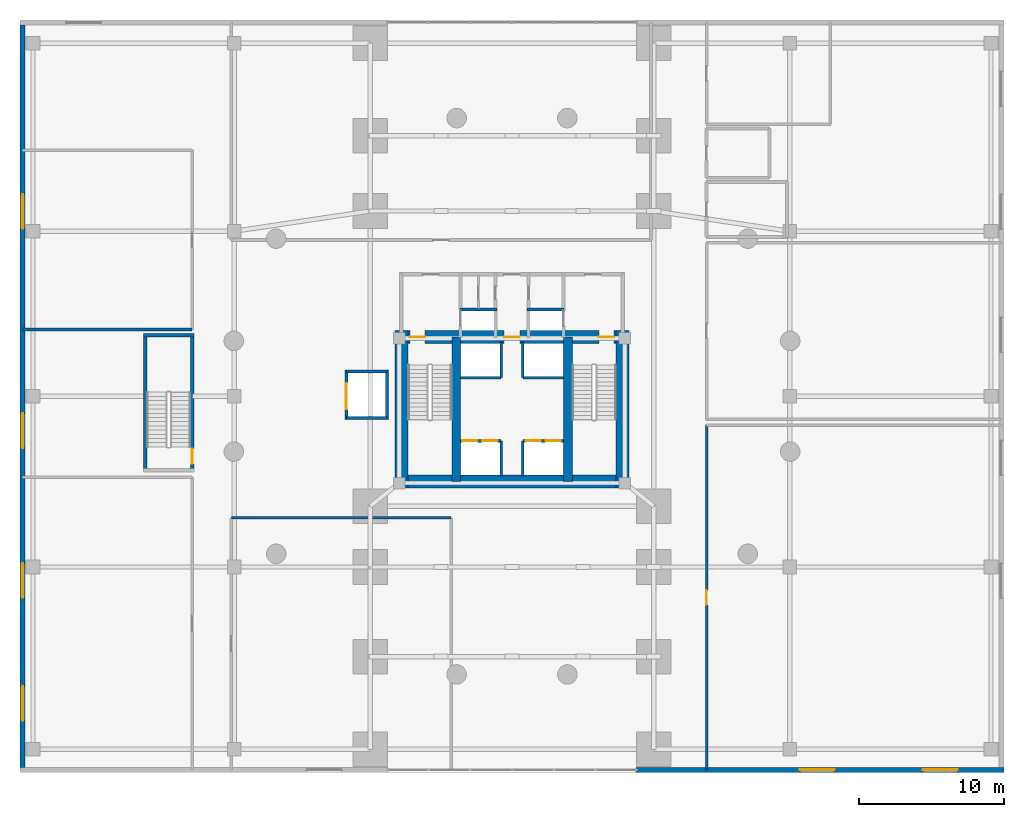
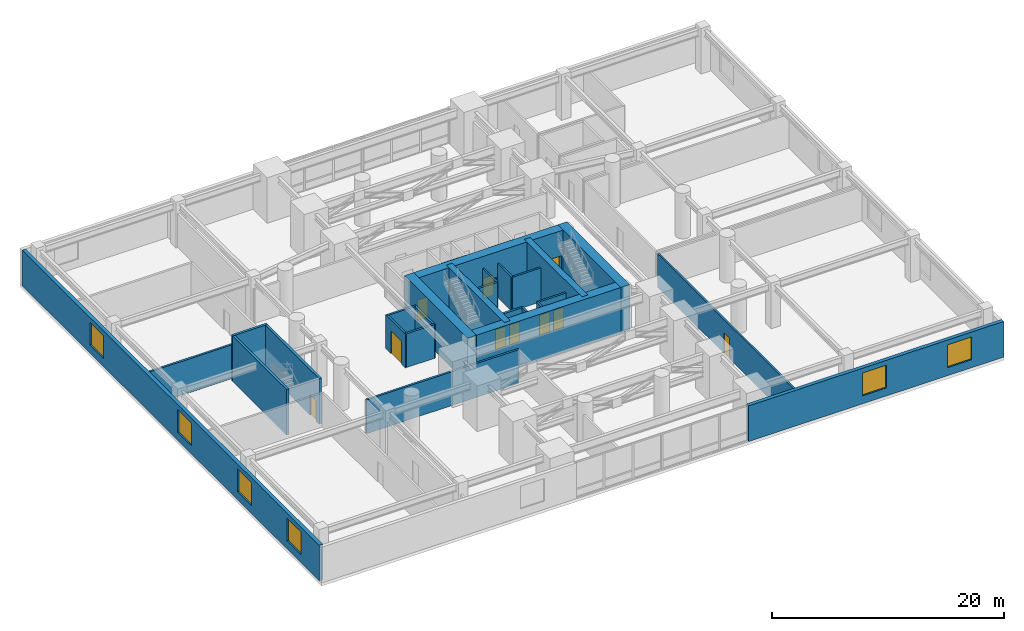
# One storey, part 14 of 17: 28 walls, 10 doors, 6 windows, 16 openings.
"""IFC4 building model written with IfcOpenShell, lengths in metres."""

from ifc_helpers import new_model, si_unit, direction, frame, frame_2d, origin, place, context, subcontext, project, spatial, rectangle, extrude, material, layer, layer_set, type_object, element, fill, save


model = new_model("IFC4")

# Units and contexts
model_context = context("Model", 3, precision=1e-05, world=origin(), true_north=direction((0.0, 1.0)))
body_context = subcontext(model_context, "Body", "Model", "MODEL_VIEW")
ifc_project = project(units=[si_unit("LENGTHUNIT", "METRE"), si_unit("AREAUNIT", "SQUARE_METRE"), si_unit("VOLUMEUNIT", "CUBIC_METRE"), si_unit("PLANEANGLEUNIT", "RADIAN"), si_unit("MASSUNIT", "GRAM", prefix="KILO"), si_unit("THERMODYNAMICTEMPERATUREUNIT", "KELVIN"), si_unit("POWERUNIT", "WATT")], contexts=[model_context])

# Site, building, storey
site_placement = place(None, origin())
site = spatial("IfcSite", under=ifc_project, at=site_placement, CompositionType="ELEMENT")
building_placement = place(site_placement, origin())
building = spatial("IfcBuilding", under=site, at=building_placement, Name="Ocrelia Relay Tower", CompositionType="ELEMENT")
storey_placement = place(building_placement, frame((0.0, 0.0, 20.39990234375)))
storey = spatial("IfcBuildingStorey", under=building, at=storey_placement, Name="L04", CompositionType="ELEMENT", Elevation=20.39990234375)

# Wall
ifc_material_1 = material(Name="Concrete C70/85", Category="concrete")
ifc_layer_1 = layer(ifc_material_1, 0.89990234375, Name="Concrete C70/85")
ifc_layer_set_1 = layer_set([ifc_layer_1], Name="Concrete C70/85")
wall_type_1 = type_object("IfcWallType", Name="CW-CORE-900", PredefinedType="SHEAR", material=ifc_layer_set_1)
wall_1_placement = place(storey_placement, frame((25.922119140625, 20.112060546875, 0.0), z_axis=(0.0, 0.0, 1.0), x_axis=(1.0, 0.0, 0.0)))
element("IfcWall", 1, at=wall_1_placement, inside=storey, type_object=wall_type_1, Name="L04 Core Shear Wall S", PredefinedType="SHEAR", context=body_context, shape_type="SweptSolid", body=[
    extrude(rectangle(XDim=16.165771484375, YDim=0.89990234375, at=frame_2d((8.0830078125, 0.0))), origin(), (0.0, 0.0, 1.0), 4.800048828125),
])

# Wall, openings, doors
wall_2_placement = place(storey_placement, frame((25.922119140625, 30.087890625, 0.0), z_axis=(0.0, 0.0, 1.0), x_axis=(1.0, 0.0, 0.0)))
wall_2 = element("IfcWall", 2, at=wall_2_placement, inside=storey, type_object=wall_type_1, Name="L04 Core Shear Wall N", PredefinedType="SHEAR", context=body_context, shape_type="SweptSolid", body=[
    extrude(rectangle(XDim=16.165771484375, YDim=0.89990234375, at=frame_2d((8.0830078125, 0.0))), origin(), (0.0, 0.0, 1.0), 4.800048828125),
])
opening_1_placement = place(wall_2_placement, frame((1.028076171875, 0.0, 0.0)))
opening_1 = element("IfcOpeningElement", 3, at=opening_1_placement, cuts=wall_2, Name="Opening D-FD90", PredefinedType="OPENING", context=body_context, shape_type="SweptSolid", body=[
    extrude(rectangle(XDim=1.050048828125, YDim=2.14990234375, at=frame_2d((0.52490234375, 1.074951171875))), frame((0.0, 0.4599609375, 0.0), z_axis=(0.0, -1.0, 0.0), x_axis=(1.0, 0.0, 0.0)), (0.0, 0.0, 1.0), 0.919921875),
])
opening_2_placement = place(wall_2_placement, frame((14.077880859375, 0.0, 0.0)))
opening_2 = element("IfcOpeningElement", 4, at=opening_2_placement, cuts=wall_2, Name="Opening D-FD90", PredefinedType="OPENING", context=body_context, shape_type="SweptSolid", body=[
    extrude(rectangle(XDim=1.050048828125, YDim=2.14990234375, at=frame_2d((0.52490234375, 1.074951171875))), frame((0.0, 0.4599609375, 0.0), z_axis=(0.0, -1.0, 0.0), x_axis=(1.0, 0.0, 0.0)), (0.0, 0.0, 1.0), 0.919921875),
])
opening_3_placement = place(wall_2_placement, frame((7.528076171875, 0.0, 0.0)))
opening_3 = element("IfcOpeningElement", 5, at=opening_3_placement, cuts=wall_2, Name="Opening D-FD60", PredefinedType="OPENING", context=body_context, shape_type="SweptSolid", body=[
    extrude(rectangle(XDim=1.10009765625, YDim=2.14990234375, at=frame_2d((0.550048828125, 1.074951171875))), frame((0.0, 0.4599609375, 0.0), z_axis=(0.0, -1.0, 0.0), x_axis=(1.0, 0.0, 0.0)), (0.0, 0.0, 1.0), 0.919921875),
])
ifc_material_2 = material(Name="Timber-core 60-min acoustic fire door", Category="wood")
door_type_1 = type_object("IfcDoorType", Name="DR-LOBBY-FD60-1100", OperationType="NOTDEFINED", PredefinedType="DOOR", material=ifc_material_2)
door_1_placement = place(opening_3_placement, origin())
door_1 = element("IfcDoor", 6, at=door_1_placement, inside=storey, type_object=door_type_1, Name="L04 Core Lift Lobby North Fire Door", OperationType="SINGLE_SWING_RIGHT", OverallHeight=2.14990234375, OverallWidth=1.10009765625, PredefinedType="DOOR", context=body_context, shape_type="SweptSolid", body=[
    extrude(rectangle(XDim=1.10009765625, YDim=2.14990234375, at=frame_2d((0.550048828125, 1.074951171875))), frame((0.0, 0.02490234375, 0.0), z_axis=(0.0, -1.0, 0.0), x_axis=(1.0, 0.0, 0.0)), (0.0, 0.0, 1.0), 0.050048828125),
])
fill(opening_3, door_1)
ifc_material_3 = material(Name="Steel S355 90-min fire door", Category="steel")
door_type_2 = type_object("IfcDoorType", Name="DR-STAIR-FD90-1050", OperationType="NOTDEFINED", PredefinedType="DOOR", material=ifc_material_3)
door_2_placement = place(opening_1_placement, origin())
door_2 = element("IfcDoor", 7, at=door_2_placement, inside=storey, type_object=door_type_2, Name="L04 Stair ST1 Fire Door", OperationType="SINGLE_SWING_RIGHT", OverallHeight=2.14990234375, OverallWidth=1.050048828125, PredefinedType="DOOR", context=body_context, shape_type="SweptSolid", body=[
    extrude(rectangle(XDim=1.050048828125, YDim=2.14990234375, at=frame_2d((0.52490234375, 1.074951171875))), frame((0.0, 0.02490234375, 0.0), z_axis=(0.0, -1.0, 0.0), x_axis=(1.0, 0.0, 0.0)), (0.0, 0.0, 1.0), 0.050048828125),
])
fill(opening_1, door_2)
door_3_placement = place(opening_2_placement, origin())
door_3 = element("IfcDoor", 8, at=door_3_placement, inside=storey, type_object=door_type_2, Name="L04 Stair ST2 Fire Door", OperationType="SINGLE_SWING_LEFT", OverallHeight=2.14990234375, OverallWidth=1.050048828125, PredefinedType="DOOR", context=body_context, shape_type="SweptSolid", body=[
    extrude(rectangle(XDim=1.050048828125, YDim=2.14990234375, at=frame_2d((0.52490234375, 1.074951171875))), frame((0.0, 0.02490234375, 0.0), z_axis=(0.0, -1.0, 0.0), x_axis=(1.0, 0.0, 0.0)), (0.0, 0.0, 1.0), 0.050048828125),
])
fill(opening_2, door_3)

# Walls
for number, where, z_axis, x_axis, name in (
    (9, (26.3720703125, 19.662109375, 0.0), (0.0, 0.0, 1.0), (0.0, 1.0, 0.0), "L04 Core Shear Wall W"),
    (10, (41.637939453125, 19.662109375, 0.0), (0.0, 0.0, 1.0), (0.0, 1.0, 0.0), "L04 Core Shear Wall E"),
):
    element("IfcWall", number, at=place(storey_placement, frame(where, z_axis=z_axis, x_axis=x_axis)), inside=storey, type_object=wall_type_1, Name=name, PredefinedType="SHEAR", context=body_context, shape_type="SweptSolid", body=[
        extrude(rectangle(XDim=10.8759765625, YDim=0.89990234375, at=frame_2d((5.43798828125, 0.0))), origin(), (0.0, 0.0, 1.0), 4.800048828125),
    ])
for number, where, z_axis, x_axis, name in (
    (11, (30.137939453125, 20.112060546875, 0.0), (0.0, 0.0, 1.0), (0.0, 1.0, 0.0), "L04 Core Shear Wall SPW"),
    (12, (37.8720703125, 20.112060546875, 0.0), (0.0, 0.0, 1.0), (0.0, 1.0, 0.0), "L04 Core Shear Wall SPE"),
):
    element("IfcWall", number, at=place(storey_placement, frame(where, z_axis=z_axis, x_axis=x_axis)), inside=storey, type_object=wall_type_1, Name=name, PredefinedType="SHEAR", context=body_context, shape_type="SweptSolid", body=[
        extrude(rectangle(XDim=9.975830078125, YDim=0.60009765625, at=frame_2d((4.98779296875, 0.0))), origin(), (0.0, 0.0, 1.0), 4.800048828125),
    ])
ifc_material_4 = material(Name="Concrete C50/60", Category="concrete")
ifc_layer_2 = layer(ifc_material_4, 0.239990234375, Name="Concrete C50/60")
ifc_layer_set_2 = layer_set([ifc_layer_2], Name="Concrete C50/60")
wall_type_2 = type_object("IfcWallType", Name="CW-STAIR-240", PredefinedType="SHEAR", material=ifc_layer_set_2)
wall_3_placement = place(storey_placement, frame((8.531982421875, 30.2080078125, 0.0), z_axis=(0.0, 0.0, 1.0), x_axis=(1.0, 0.0, 0.0)))
element("IfcWall", 13, at=wall_3_placement, inside=storey, type_object=wall_type_2, Name="L04 Stair ST3 Structural Shaft N Wall", PredefinedType="SHEAR", context=body_context, shape_type="SweptSolid", body=[
    extrude(rectangle(XDim=3.49609375, YDim=0.239990234375, at=frame_2d((1.748046875, 0.0))), origin(), (0.0, 0.0, 1.0), 4.800048828125),
])
wall_4_placement = place(storey_placement, frame((8.652099609375, 20.77197265625, 0.0), z_axis=(0.0, 0.0, 1.0), x_axis=(0.0, 1.0, 0.0)))
element("IfcWall", 14, at=wall_4_placement, inside=storey, type_object=wall_type_2, Name="L04 Stair ST3 Structural Shaft W Wall", PredefinedType="SHEAR", context=body_context, shape_type="SweptSolid", body=[
    extrude(rectangle(XDim=9.555908203125, YDim=0.239990234375, at=frame_2d((4.77783203125, 0.0))), origin(), (0.0, 0.0, 1.0), 4.800048828125),
])

# Wall, opening, door
wall_5_placement = place(storey_placement, frame((11.907958984375, 20.77197265625, 0.0), z_axis=(0.0, 0.0, 1.0), x_axis=(0.0, 1.0, 0.0)))
wall_5 = element("IfcWall", 15, at=wall_5_placement, inside=storey, type_object=wall_type_2, Name="L04 Stair ST3 Structural Shaft E Wall", PredefinedType="SHEAR", context=body_context, shape_type="SweptSolid", body=[
    extrude(rectangle(XDim=9.555908203125, YDim=0.239990234375, at=frame_2d((4.77783203125, 0.0))), origin(), (0.0, 0.0, 1.0), 4.800048828125),
])
opening_4_placement = place(wall_5_placement, frame((0.550048828125, 0.0, 0.0)))
opening_4 = element("IfcOpeningElement", 16, at=opening_4_placement, cuts=wall_5, Name="Opening D-FD90", PredefinedType="OPENING", context=body_context, shape_type="SweptSolid", body=[
    extrude(rectangle(XDim=1.050048828125, YDim=2.14990234375, at=frame_2d((0.52490234375, 1.074951171875))), frame((0.0, 0.1298828125, 0.0), z_axis=(0.0, -1.0, 0.0), x_axis=(1.0, 0.0, 0.0)), (0.0, 0.0, 1.0), 0.260009765625),
])
door_4_placement = place(opening_4_placement, origin())
door_4 = element("IfcDoor", 17, at=door_4_placement, inside=storey, type_object=door_type_2, Name="L04 Stair ST3 Fire Door", OperationType="SINGLE_SWING_LEFT", OverallHeight=2.14990234375, OverallWidth=1.050048828125, PredefinedType="DOOR", context=body_context, shape_type="SweptSolid", body=[
    extrude(rectangle(XDim=1.050048828125, YDim=2.14990234375, at=frame_2d((0.52490234375, 1.074951171875))), frame((0.0, 0.02490234375, 0.0), z_axis=(0.0, -1.0, 0.0), x_axis=(1.0, 0.0, 0.0)), (0.0, 0.0, 1.0), 0.050048828125),
])
fill(opening_4, door_4)

ifc_material_5 = material(Name="Gypsum Fireboard Partition EI60", Category="gypsum")
ifc_layer_3 = layer(ifc_material_5, 0.179931640625, Name="Gypsum Fireboard Partition EI60")
ifc_layer_set_3 = layer_set([ifc_layer_3], Name="Gypsum Fireboard Partition EI60")
wall_type_3 = type_object("IfcWallType", Name="W-CORR-EI60-180", PredefinedType="PARTITIONING", material=ifc_layer_set_3)
wall_6_placement = place(storey_placement, frame((47.449951171875, 24.0, 0.0), z_axis=(0.0, 0.0, 1.0), x_axis=(0.0, -1.0, 0.0)))
wall_6 = element("IfcWall", 18, at=wall_6_placement, inside=storey, type_object=wall_type_3, Name="L04 Optical Peering Exchange Hall W Partition", PredefinedType="PARTITIONING", context=body_context, shape_type="SweptSolid", body=[
    extrude(rectangle(XDim=23.820068359375, YDim=0.179931640625, at=frame_2d((11.91015625, 0.0))), origin(), (0.0, 0.0, 1.0), 3.56005859375),
])
opening_5_placement = place(wall_6_placement, frame((11.409912109375, 0.0, 0.0)))
opening_5 = element("IfcOpeningElement", 19, at=opening_5_placement, cuts=wall_6, Name="Opening D-RM100", PredefinedType="OPENING", context=body_context, shape_type="SweptSolid", body=[
    extrude(rectangle(XDim=1.0, YDim=2.14990234375, at=frame_2d((0.5, 1.074951171875))), frame((0.0, 0.10009765625, 0.0), z_axis=(0.0, -1.0, 0.0), x_axis=(1.0, 0.0, 0.0)), (0.0, 0.0, 1.0), 0.199951171875),
])
ifc_material_6 = material(Name="Acoustic oak veneer fire door", Category="wood")
door_type_3 = type_object("IfcDoorType", Name="DR-ROOM-FD60-1000", OperationType="NOTDEFINED", PredefinedType="DOOR", material=ifc_material_6)
door_5_placement = place(opening_5_placement, origin())
door_5 = element("IfcDoor", 20, at=door_5_placement, inside=storey, type_object=door_type_3, Name="L04 Optical Peering Exchange Hall Door", OperationType="SINGLE_SWING_RIGHT", OverallHeight=2.14990234375, OverallWidth=1.0, PredefinedType="DOOR", context=body_context, shape_type="SweptSolid", body=[
    extrude(rectangle(XDim=1.0, YDim=2.14990234375, at=frame_2d((0.5, 1.074951171875))), frame((0.0, 0.02490234375, 0.0), z_axis=(0.0, -1.0, 0.0), x_axis=(1.0, 0.0, 0.0)), (0.0, 0.0, 1.0), 0.050048828125),
])
fill(opening_5, door_5)

# Wall, openings, windows
ifc_material_7 = material(Name="Precast concrete C40/50 with oxide terracotta", Category="masonry")
ifc_layer_4 = layer(ifc_material_7, 0.35009765625, Name="Precast concrete C40/50 with oxide terracotta")
ifc_layer_set_4 = layer_set([ifc_layer_4], Name="Precast concrete C40/50 with oxide terracotta")
wall_type_4 = type_object("IfcWallType", Name="W-EXT-POD-350", PredefinedType="SOLIDWALL", material=ifc_layer_set_4)
wall_7_placement = place(storey_placement, frame((0.179931640625, 0.360107421875, 0.0), z_axis=(0.0, 0.0, 1.0), x_axis=(0.0, 1.0, 0.0)))
wall_7 = element("IfcWall", 21, at=wall_7_placement, inside=storey, type_object=wall_type_4, Name="L04 Oxide Terracotta Podium Wall WW", PredefinedType="SOLIDWALL", context=body_context, shape_type="SweptSolid", body=[
    extrude(rectangle(XDim=51.27978515625, YDim=0.35009765625, at=frame_2d((25.639892578125, 0.0))), origin(), (0.0, 0.0, 1.0), 3.760009765625),
])
opening_6_placement = place(wall_7_placement, frame((3.199951171875, 0.0, 0.85009765625)))
opening_6 = element("IfcOpeningElement", 22, at=opening_6_placement, cuts=wall_7, Name="Opening W-01", PredefinedType="OPENING", context=body_context, shape_type="SweptSolid", body=[
    extrude(rectangle(XDim=2.39990234375, YDim=2.39990234375, at=frame_2d((1.199951171875, 1.199951171875))), frame((0.0, 0.18505859375, 0.0), z_axis=(0.0, -1.0, 0.0), x_axis=(1.0, 0.0, 0.0)), (0.0, 0.0, 1.0), 0.3701171875),
])
opening_7_placement = place(wall_7_placement, frame((11.699951171875, 0.0, 0.85009765625)))
opening_7 = element("IfcOpeningElement", 23, at=opening_7_placement, cuts=wall_7, Name="Opening W-01", PredefinedType="OPENING", context=body_context, shape_type="SweptSolid", body=[
    extrude(rectangle(XDim=2.39990234375, YDim=2.39990234375, at=frame_2d((1.199951171875, 1.199951171875))), frame((0.0, 0.18505859375, 0.0), z_axis=(0.0, -1.0, 0.0), x_axis=(1.0, 0.0, 0.0)), (0.0, 0.0, 1.0), 0.3701171875),
])
opening_8_placement = place(wall_7_placement, frame((22.050048828125, 0.0, 0.85009765625)))
opening_8 = element("IfcOpeningElement", 24, at=opening_8_placement, cuts=wall_7, Name="Opening W-01", PredefinedType="OPENING", context=body_context, shape_type="SweptSolid", body=[
    extrude(rectangle(XDim=2.39990234375, YDim=2.39990234375, at=frame_2d((1.199951171875, 1.199951171875))), frame((0.0, 0.18505859375, 0.0), z_axis=(0.0, -1.0, 0.0), x_axis=(1.0, 0.0, 0.0)), (0.0, 0.0, 1.0), 0.3701171875),
])
opening_9_placement = place(wall_7_placement, frame((37.199951171875, 0.0, 0.85009765625)))
opening_9 = element("IfcOpeningElement", 25, at=opening_9_placement, cuts=wall_7, Name="Opening W-01", PredefinedType="OPENING", context=body_context, shape_type="SweptSolid", body=[
    extrude(rectangle(XDim=2.39990234375, YDim=2.39990234375, at=frame_2d((1.199951171875, 1.199951171875))), frame((0.0, 0.18505859375, 0.0), z_axis=(0.0, -1.0, 0.0), x_axis=(1.0, 0.0, 0.0)), (0.0, 0.0, 1.0), 0.3701171875),
])
ifc_material_8 = material(Name="Clear double-glazed low-E glass", Category="glass")
window_type = type_object("IfcWindowType", Name="WIN-POD-2400x2600", PartitioningType="SINGLE_PANEL", PredefinedType="WINDOW", material=ifc_material_8)
window_1_placement = place(opening_6_placement, origin())
window_1 = element("IfcWindow", 26, at=window_1_placement, inside=storey, type_object=window_type, Name="L04 Podium Punched Window WW-1", OverallHeight=2.39990234375, OverallWidth=2.39990234375, PartitioningType="SINGLE_PANEL", PredefinedType="WINDOW", context=body_context, shape_type="SweptSolid", body=[
    extrude(rectangle(XDim=2.39990234375, YDim=2.39990234375, at=frame_2d((1.199951171875, 1.199951171875))), frame((0.0, 0.030029296875, 0.0), z_axis=(0.0, -1.0, 0.0), x_axis=(1.0, 0.0, 0.0)), (0.0, 0.0, 1.0), 0.06005859375),
])
fill(opening_6, window_1)
window_2_placement = place(opening_7_placement, origin())
window_2 = element("IfcWindow", 27, at=window_2_placement, inside=storey, type_object=window_type, Name="L04 Podium Punched Window WW-2", OverallHeight=2.39990234375, OverallWidth=2.39990234375, PartitioningType="SINGLE_PANEL", PredefinedType="WINDOW", context=body_context, shape_type="SweptSolid", body=[
    extrude(rectangle(XDim=2.39990234375, YDim=2.39990234375, at=frame_2d((1.199951171875, 1.199951171875))), frame((0.0, 0.030029296875, 0.0), z_axis=(0.0, -1.0, 0.0), x_axis=(1.0, 0.0, 0.0)), (0.0, 0.0, 1.0), 0.06005859375),
])
fill(opening_7, window_2)
window_3_placement = place(opening_8_placement, origin())
window_3 = element("IfcWindow", 28, at=window_3_placement, inside=storey, type_object=window_type, Name="L04 Podium Punched Window WW-3", OverallHeight=2.39990234375, OverallWidth=2.39990234375, PartitioningType="SINGLE_PANEL", PredefinedType="WINDOW", context=body_context, shape_type="SweptSolid", body=[
    extrude(rectangle(XDim=2.39990234375, YDim=2.39990234375, at=frame_2d((1.199951171875, 1.199951171875))), frame((0.0, 0.030029296875, 0.0), z_axis=(0.0, -1.0, 0.0), x_axis=(1.0, 0.0, 0.0)), (0.0, 0.0, 1.0), 0.06005859375),
])
fill(opening_8, window_3)
window_4_placement = place(opening_9_placement, origin())
window_4 = element("IfcWindow", 29, at=window_4_placement, inside=storey, type_object=window_type, Name="L04 Podium Punched Window WW-5", OverallHeight=2.39990234375, OverallWidth=2.39990234375, PartitioningType="SINGLE_PANEL", PredefinedType="WINDOW", context=body_context, shape_type="SweptSolid", body=[
    extrude(rectangle(XDim=2.39990234375, YDim=2.39990234375, at=frame_2d((1.199951171875, 1.199951171875))), frame((0.0, 0.030029296875, 0.0), z_axis=(0.0, -1.0, 0.0), x_axis=(1.0, 0.0, 0.0)), (0.0, 0.0, 1.0), 0.06005859375),
])
fill(opening_9, window_4)

wall_8_placement = place(storey_placement, frame((67.989990234375, 0.179931640625, 0.0), z_axis=(0.0, 0.0, 1.0), x_axis=(-1.0, 0.0, 0.0)))
wall_8 = element("IfcWall", 30, at=wall_8_placement, inside=storey, type_object=wall_type_4, Name="L04 Oxide Terracotta Podium Wall ES", PredefinedType="SOLIDWALL", context=body_context, shape_type="SweptSolid", body=[
    extrude(rectangle(XDim=25.419921875, YDim=0.35009765625, at=frame_2d((12.7099609375, 0.0))), origin(), (0.0, 0.0, 1.0), 3.760009765625),
])
opening_10_placement = place(wall_8_placement, frame((3.199951171875, 0.0, 0.85009765625)))
opening_10 = element("IfcOpeningElement", 31, at=opening_10_placement, cuts=wall_8, Name="Opening W-01", PredefinedType="OPENING", context=body_context, shape_type="SweptSolid", body=[
    extrude(rectangle(XDim=2.39990234375, YDim=2.39990234375, at=frame_2d((1.199951171875, 1.199951171875))), frame((0.0, 0.18505859375, 0.0), z_axis=(0.0, -1.0, 0.0), x_axis=(1.0, 0.0, 0.0)), (0.0, 0.0, 1.0), 0.3701171875),
])
opening_11_placement = place(wall_8_placement, frame((11.699951171875, 0.0, 0.85009765625)))
opening_11 = element("IfcOpeningElement", 32, at=opening_11_placement, cuts=wall_8, Name="Opening W-01", PredefinedType="OPENING", context=body_context, shape_type="SweptSolid", body=[
    extrude(rectangle(XDim=2.39990234375, YDim=2.39990234375, at=frame_2d((1.199951171875, 1.199951171875))), frame((0.0, 0.18505859375, 0.0), z_axis=(0.0, -1.0, 0.0), x_axis=(1.0, 0.0, 0.0)), (0.0, 0.0, 1.0), 0.3701171875),
])
window_5_placement = place(opening_10_placement, origin())
window_5 = element("IfcWindow", 33, at=window_5_placement, inside=storey, type_object=window_type, Name="L04 Podium Punched Window ES-1", OverallHeight=2.39990234375, OverallWidth=2.39990234375, PartitioningType="SINGLE_PANEL", PredefinedType="WINDOW", context=body_context, shape_type="SweptSolid", body=[
    extrude(rectangle(XDim=2.39990234375, YDim=2.39990234375, at=frame_2d((1.199951171875, 1.199951171875))), frame((0.0, 0.030029296875, 0.0), z_axis=(0.0, -1.0, 0.0), x_axis=(1.0, 0.0, 0.0)), (0.0, 0.0, 1.0), 0.06005859375),
])
fill(opening_10, window_5)
window_6_placement = place(opening_11_placement, origin())
window_6 = element("IfcWindow", 34, at=window_6_placement, inside=storey, type_object=window_type, Name="L04 Podium Punched Window ES-2", OverallHeight=2.39990234375, OverallWidth=2.39990234375, PartitioningType="SINGLE_PANEL", PredefinedType="WINDOW", context=body_context, shape_type="SweptSolid", body=[
    extrude(rectangle(XDim=2.39990234375, YDim=2.39990234375, at=frame_2d((1.199951171875, 1.199951171875))), frame((0.0, 0.030029296875, 0.0), z_axis=(0.0, -1.0, 0.0), x_axis=(1.0, 0.0, 0.0)), (0.0, 0.0, 1.0), 0.06005859375),
])
fill(opening_11, window_6)

# Walls
ifc_material_9 = material(Name="Moisture-Resistant Fireboard Chase Wall EI60", Category="gypsum")
ifc_layer_5 = layer(ifc_material_9, 0.199951171875, Name="Moisture-Resistant Fireboard Chase Wall EI60")
ifc_layer_set_5 = layer_set([ifc_layer_5], Name="Moisture-Resistant Fireboard Chase Wall EI60")
wall_type_5 = type_object("IfcWallType", Name="W-PLUMB-200", PredefinedType="PLUMBINGWALL", material=ifc_layer_set_5)
wall_9_placement = place(storey_placement, frame((0.179931640625, 30.60009765625, 0.0), z_axis=(0.0, 0.0, 1.0), x_axis=(1.0, 0.0, 0.0)))
element("IfcWall", 35, at=wall_9_placement, inside=storey, type_object=wall_type_5, Name="L04 Commercial Servery Kitchen S Partition", PredefinedType="PLUMBINGWALL", context=body_context, shape_type="SweptSolid", body=[
    extrude(rectangle(XDim=11.719970703125, YDim=0.199951171875, at=frame_2d((5.85986328125, 0.0))), origin(), (0.0, 0.0, 1.0), 3.56005859375),
])
ifc_layer_6 = layer(ifc_material_4, 0.199951171875, Name="Concrete C50/60")
ifc_layer_set_6 = layer_set([ifc_layer_6], Name="Concrete C50/60")
wall_type_6 = type_object("IfcWallType", Name="W-SHAFT-EI120-200", PredefinedType="SOLIDWALL", material=ifc_layer_set_6)
for number, where, z_axis, x_axis, name in (
    (36, (30.39990234375, 32.0, 0.0), (0.0, 0.0, 1.0), (1.0, 0.0, 0.0), "L04 FFL1 Hoistway North Wall"),
    (37, (35.050048828125, 32.0, 0.0), (0.0, 0.0, 1.0), (1.0, 0.0, 0.0), "L04 FFL2 Hoistway North Wall"),
):
    element("IfcWall", number, at=place(storey_placement, frame(where, z_axis=z_axis, x_axis=x_axis)), inside=storey, type_object=wall_type_6, Name=name, PredefinedType="SOLIDWALL", context=body_context, shape_type="SweptSolid", body=[
        extrude(rectangle(XDim=2.550048828125, YDim=0.199951171875, at=frame_2d((1.27490234375, 0.0))), origin(), (0.0, 0.0, 1.0), 3.56005859375),
    ])

# Wall, openings, doors
wall_10_placement = place(storey_placement, frame((30.43994140625, 22.919921875, 0.0), z_axis=(0.0, 0.0, 1.0), x_axis=(1.0, 0.0, 0.0)))
wall_10 = element("IfcWall", 38, at=wall_10_placement, inside=storey, type_object=wall_type_6, Name="L04 Low-Rise Lift Hoistway Wall W", PredefinedType="SOLIDWALL", context=body_context, shape_type="SweptSolid", body=[
    extrude(rectangle(XDim=2.81005859375, YDim=0.199951171875, at=frame_2d((1.405029296875, 0.0))), origin(), (0.0, 0.0, 1.0), 3.56005859375),
])
opening_12_placement = place(wall_10_placement, frame((0.1201171875, 0.0, 0.0)))
opening_12 = element("IfcOpeningElement", 39, at=opening_12_placement, cuts=wall_10, Name="Opening LD-PL1", PredefinedType="OPENING", context=body_context, shape_type="SweptSolid", body=[
    extrude(rectangle(XDim=1.050048828125, YDim=2.10009765625, at=frame_2d((0.52490234375, 1.050048828125))), frame((0.0, 0.10986328125, 0.0), z_axis=(0.0, -1.0, 0.0), x_axis=(1.0, 0.0, 0.0)), (0.0, 0.0, 1.0), 0.219970703125),
])
opening_13_placement = place(wall_10_placement, frame((1.5, 0.0, 0.0)))
opening_13 = element("IfcOpeningElement", 40, at=opening_13_placement, cuts=wall_10, Name="Opening LD-PL2", PredefinedType="OPENING", context=body_context, shape_type="SweptSolid", body=[
    extrude(rectangle(XDim=1.050048828125, YDim=2.10009765625, at=frame_2d((0.52490234375, 1.050048828125))), frame((0.0, 0.10986328125, 0.0), z_axis=(0.0, -1.0, 0.0), x_axis=(1.0, 0.0, 0.0)), (0.0, 0.0, 1.0), 0.219970703125),
])
ifc_material_10 = material(Name="Brushed stainless steel S355 lift landing door", Category="steel")
door_type_4 = type_object("IfcDoorType", Name="DR-LIFT-LAND-1050", OperationType="DOUBLE_DOOR_SLIDING", PredefinedType="USERDEFINED", material=ifc_material_10)
door_6_placement = place(opening_12_placement, origin())
door_6 = element("IfcDoor", 41, at=door_6_placement, inside=storey, type_object=door_type_4, Name="L04 Passenger Lift PL1 Sliding Landing Door", ObjectType="LANDING DOOR", OperationType="DOUBLE_DOOR_SLIDING", OverallHeight=2.10009765625, OverallWidth=1.050048828125, PredefinedType="USERDEFINED", context=body_context, shape_type="SweptSolid", body=[
    extrude(rectangle(XDim=1.050048828125, YDim=2.10009765625, at=frame_2d((0.52490234375, 1.050048828125))), frame((0.0, 0.02490234375, 0.0), z_axis=(0.0, -1.0, 0.0), x_axis=(1.0, 0.0, 0.0)), (0.0, 0.0, 1.0), 0.050048828125),
])
fill(opening_12, door_6)
door_7_placement = place(opening_13_placement, origin())
door_7 = element("IfcDoor", 42, at=door_7_placement, inside=storey, type_object=door_type_4, Name="L04 Passenger Lift PL2 Sliding Landing Door", ObjectType="LANDING DOOR", OperationType="DOUBLE_DOOR_SLIDING", OverallHeight=2.10009765625, OverallWidth=1.050048828125, PredefinedType="USERDEFINED", context=body_context, shape_type="SweptSolid", body=[
    extrude(rectangle(XDim=1.050048828125, YDim=2.10009765625, at=frame_2d((0.52490234375, 1.050048828125))), frame((0.0, 0.02490234375, 0.0), z_axis=(0.0, -1.0, 0.0), x_axis=(1.0, 0.0, 0.0)), (0.0, 0.0, 1.0), 0.050048828125),
])
fill(opening_13, door_7)

# Wall
wall_11_placement = place(storey_placement, frame((33.25, 20.5, 0.0), z_axis=(0.0, 0.0, 1.0), x_axis=(0.0, 1.0, 0.0)))
element("IfcWall", 43, at=wall_11_placement, inside=storey, type_object=wall_type_6, Name="L04 Low-Rise Lift Throat Wall W", PredefinedType="SOLIDWALL", context=body_context, shape_type="SweptSolid", body=[
    extrude(rectangle(XDim=2.419921875, YDim=0.179931640625, at=frame_2d((1.2099609375, 0.0))), origin(), (0.0, 0.0, 1.0), 3.56005859375),
])

# Wall, openings, doors
wall_12_placement = place(storey_placement, frame((34.75, 22.919921875, 0.0), z_axis=(0.0, 0.0, 1.0), x_axis=(1.0, 0.0, 0.0)))
wall_12 = element("IfcWall", 44, at=wall_12_placement, inside=storey, type_object=wall_type_6, Name="L04 Low-Rise Lift Hoistway Wall E", PredefinedType="SOLIDWALL", context=body_context, shape_type="SweptSolid", body=[
    extrude(rectangle(XDim=2.81005859375, YDim=0.199951171875, at=frame_2d((1.405029296875, 0.0))), origin(), (0.0, 0.0, 1.0), 3.56005859375),
])
opening_14_placement = place(wall_12_placement, frame((0.18994140625, 0.0, 0.0)))
opening_14 = element("IfcOpeningElement", 45, at=opening_14_placement, cuts=wall_12, Name="Opening LD-PL3", PredefinedType="OPENING", context=body_context, shape_type="SweptSolid", body=[
    extrude(rectangle(XDim=1.050048828125, YDim=2.10009765625, at=frame_2d((0.52490234375, 1.050048828125))), frame((0.0, 0.10986328125, 0.0), z_axis=(0.0, -1.0, 0.0), x_axis=(1.0, 0.0, 0.0)), (0.0, 0.0, 1.0), 0.219970703125),
])
opening_15_placement = place(wall_12_placement, frame((1.570068359375, 0.0, 0.0)))
opening_15 = element("IfcOpeningElement", 46, at=opening_15_placement, cuts=wall_12, Name="Opening LD-PL4", PredefinedType="OPENING", context=body_context, shape_type="SweptSolid", body=[
    extrude(rectangle(XDim=1.050048828125, YDim=2.10009765625, at=frame_2d((0.52490234375, 1.050048828125))), frame((0.0, 0.10986328125, 0.0), z_axis=(0.0, -1.0, 0.0), x_axis=(1.0, 0.0, 0.0)), (0.0, 0.0, 1.0), 0.219970703125),
])
door_8_placement = place(opening_14_placement, origin())
door_8 = element("IfcDoor", 47, at=door_8_placement, inside=storey, type_object=door_type_4, Name="L04 Passenger Lift PL3 Sliding Landing Door", ObjectType="LANDING DOOR", OperationType="DOUBLE_DOOR_SLIDING", OverallHeight=2.10009765625, OverallWidth=1.050048828125, PredefinedType="USERDEFINED", context=body_context, shape_type="SweptSolid", body=[
    extrude(rectangle(XDim=1.050048828125, YDim=2.10009765625, at=frame_2d((0.52490234375, 1.050048828125))), frame((0.0, 0.02490234375, 0.0), z_axis=(0.0, -1.0, 0.0), x_axis=(1.0, 0.0, 0.0)), (0.0, 0.0, 1.0), 0.050048828125),
])
fill(opening_14, door_8)
door_9_placement = place(opening_15_placement, origin())
door_9 = element("IfcDoor", 48, at=door_9_placement, inside=storey, type_object=door_type_4, Name="L04 Passenger Lift PL4 Sliding Landing Door", ObjectType="LANDING DOOR", OperationType="DOUBLE_DOOR_SLIDING", OverallHeight=2.10009765625, OverallWidth=1.050048828125, PredefinedType="USERDEFINED", context=body_context, shape_type="SweptSolid", body=[
    extrude(rectangle(XDim=1.050048828125, YDim=2.10009765625, at=frame_2d((0.52490234375, 1.050048828125))), frame((0.0, 0.02490234375, 0.0), z_axis=(0.0, -1.0, 0.0), x_axis=(1.0, 0.0, 0.0)), (0.0, 0.0, 1.0), 0.050048828125),
])
fill(opening_15, door_9)

# Walls
wall_13_placement = place(storey_placement, frame((34.75, 20.5, 0.0), z_axis=(0.0, 0.0, 1.0), x_axis=(0.0, 1.0, 0.0)))
element("IfcWall", 49, at=wall_13_placement, inside=storey, type_object=wall_type_6, Name="L04 Low-Rise Lift Throat Wall E", PredefinedType="SOLIDWALL", context=body_context, shape_type="SweptSolid", body=[
    extrude(rectangle(XDim=2.419921875, YDim=0.179931640625, at=frame_2d((1.2099609375, 0.0))), origin(), (0.0, 0.0, 1.0), 3.56005859375),
])
wall_14_placement = place(storey_placement, frame((30.43994140625, 27.280029296875, 0.0), z_axis=(0.0, 0.0, 1.0), x_axis=(1.0, 0.0, 0.0)))
element("IfcWall", 50, at=wall_14_placement, inside=storey, type_object=wall_type_6, Name="L04 High-Rise Lift Hoistway Wall W", PredefinedType="SOLIDWALL", context=body_context, shape_type="SweptSolid", body=[
    extrude(rectangle(XDim=2.81005859375, YDim=0.199951171875, at=frame_2d((1.405029296875, 0.0))), origin(), (0.0, 0.0, 1.0), 3.56005859375),
])
wall_15_placement = place(storey_placement, frame((33.25, 27.280029296875, 0.0), z_axis=(0.0, 0.0, 1.0), x_axis=(0.0, 1.0, 0.0)))
element("IfcWall", 51, at=wall_15_placement, inside=storey, type_object=wall_type_6, Name="L04 High-Rise Lift Throat Wall W", PredefinedType="SOLIDWALL", context=body_context, shape_type="SweptSolid", body=[
    extrude(rectangle(XDim=2.469970703125, YDim=0.179931640625, at=frame_2d((1.23486328125, 0.0))), origin(), (0.0, 0.0, 1.0), 3.56005859375),
])
wall_16_placement = place(storey_placement, frame((34.75, 27.280029296875, 0.0), z_axis=(0.0, 0.0, 1.0), x_axis=(1.0, 0.0, 0.0)))
element("IfcWall", 52, at=wall_16_placement, inside=storey, type_object=wall_type_6, Name="L04 High-Rise Lift Hoistway Wall E", PredefinedType="SOLIDWALL", context=body_context, shape_type="SweptSolid", body=[
    extrude(rectangle(XDim=2.81005859375, YDim=0.199951171875, at=frame_2d((1.405029296875, 0.0))), origin(), (0.0, 0.0, 1.0), 3.56005859375),
])
wall_17_placement = place(storey_placement, frame((34.75, 27.280029296875, 0.0), z_axis=(0.0, 0.0, 1.0), x_axis=(0.0, 1.0, 0.0)))
element("IfcWall", 53, at=wall_17_placement, inside=storey, type_object=wall_type_6, Name="L04 High-Rise Lift Throat Wall E", PredefinedType="SOLIDWALL", context=body_context, shape_type="SweptSolid", body=[
    extrude(rectangle(XDim=2.469970703125, YDim=0.179931640625, at=frame_2d((1.23486328125, 0.0))), origin(), (0.0, 0.0, 1.0), 3.56005859375),
])

# Wall, opening, door
wall_18_placement = place(storey_placement, frame((22.550048828125, 24.39990234375, 0.0), z_axis=(0.0, 0.0, 1.0), x_axis=(0.0, 1.0, 0.0)))
wall_18 = element("IfcWall", 54, at=wall_18_placement, inside=storey, type_object=wall_type_6, Name="L04 Goods Lift Shaft West Wall", PredefinedType="SOLIDWALL", context=body_context, shape_type="SweptSolid", body=[
    extrude(rectangle(XDim=3.400146484375, YDim=0.199951171875, at=frame_2d((1.7001953125, 0.0))), origin(), (0.0, 0.0, 1.0), 3.56005859375),
])
opening_16_placement = place(wall_18_placement, frame((0.699951171875, 0.0, 0.0)))
opening_16 = element("IfcOpeningElement", 55, at=opening_16_placement, cuts=wall_18, Name="Opening LD-GL1", PredefinedType="OPENING", context=body_context, shape_type="SweptSolid", body=[
    extrude(rectangle(XDim=1.800048828125, YDim=2.39990234375, at=frame_2d((0.89990234375, 1.199951171875))), frame((0.0, 0.10986328125, 0.0), z_axis=(0.0, -1.0, 0.0), x_axis=(1.0, 0.0, 0.0)), (0.0, 0.0, 1.0), 0.219970703125),
])
ifc_material_11 = material(Name="Heavy-duty stainless steel S355 goods landing door", Category="steel")
door_type_5 = type_object("IfcDoorType", Name="DR-GOODS-LAND-1800", OperationType="DOUBLE_DOOR_SLIDING", PredefinedType="USERDEFINED", material=ifc_material_11)
door_10_placement = place(opening_16_placement, origin())
door_10 = element("IfcDoor", 56, at=door_10_placement, inside=storey, type_object=door_type_5, Name="L04 Goods Lift GL1 Sliding Landing Door", ObjectType="LANDING DOOR", OperationType="DOUBLE_DOOR_SLIDING", OverallHeight=2.39990234375, OverallWidth=1.800048828125, PredefinedType="USERDEFINED", context=body_context, shape_type="SweptSolid", body=[
    extrude(rectangle(XDim=1.800048828125, YDim=2.39990234375, at=frame_2d((0.89990234375, 1.199951171875))), frame((0.0, 0.02490234375, 0.0), z_axis=(0.0, -1.0, 0.0), x_axis=(1.0, 0.0, 0.0)), (0.0, 0.0, 1.0), 0.050048828125),
])
fill(opening_16, door_10)

# Walls
wall_19_placement = place(storey_placement, frame((25.35009765625, 24.39990234375, 0.0), z_axis=(0.0, 0.0, 1.0), x_axis=(0.0, 1.0, 0.0)))
element("IfcWall", 57, at=wall_19_placement, inside=storey, type_object=wall_type_6, Name="L04 Goods Lift Shaft E Wall", PredefinedType="SOLIDWALL", context=body_context, shape_type="SweptSolid", body=[
    extrude(rectangle(XDim=3.400146484375, YDim=0.199951171875, at=frame_2d((1.7001953125, 0.0))), origin(), (0.0, 0.0, 1.0), 3.56005859375),
])
for number, where, z_axis, x_axis, name in (
    (58, (22.550048828125, 24.5, 0.0), (0.0, 0.0, 1.0), (1.0, 0.0, 0.0), "L04 Goods Lift Shaft S Wall"),
    (59, (22.550048828125, 27.699951171875, 0.0), (0.0, 0.0, 1.0), (1.0, 0.0, 0.0), "L04 Goods Lift Shaft N Wall"),
):
    element("IfcWall", number, at=place(storey_placement, frame(where, z_axis=z_axis, x_axis=x_axis)), inside=storey, type_object=wall_type_6, Name=name, PredefinedType="SOLIDWALL", context=body_context, shape_type="SweptSolid", body=[
        extrude(rectangle(XDim=2.800048828125, YDim=0.199951171875, at=frame_2d((1.39990234375, 0.0))), origin(), (0.0, 0.0, 1.0), 3.56005859375),
    ])
wall_20_placement = place(storey_placement, frame((29.800048828125, 17.60009765625, 0.0), z_axis=(0.0, 0.0, 1.0), x_axis=(-1.0, 0.0, 0.0)))
element("IfcWall", 60, at=wall_20_placement, inside=storey, type_object=wall_type_6, Name="L04 Transfer Truss Chilled Water Plant Room N Partition", PredefinedType="SOLIDWALL", context=body_context, shape_type="SweptSolid", body=[
    extrude(rectangle(XDim=15.199951171875, YDim=0.199951171875, at=frame_2d((7.60009765625, 0.0))), origin(), (0.0, 0.0, 1.0), 3.56005859375),
])

save(model, "model.ifc")
